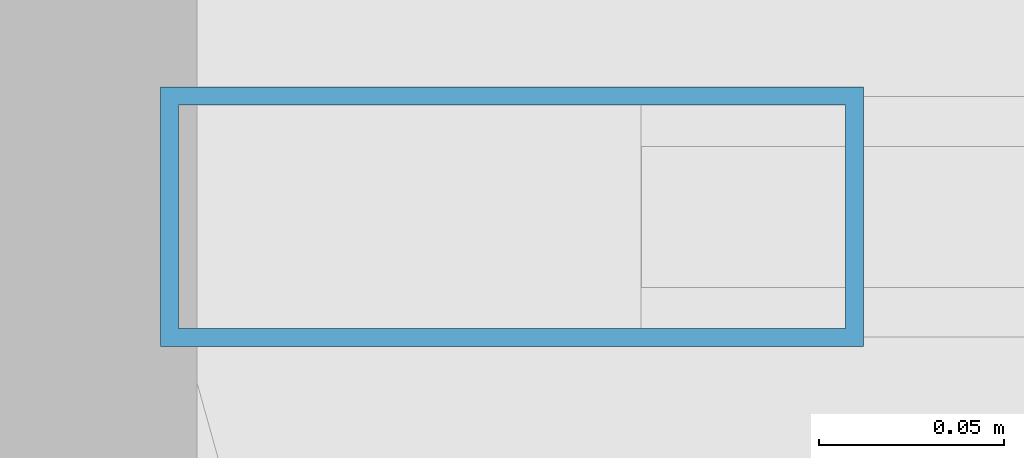
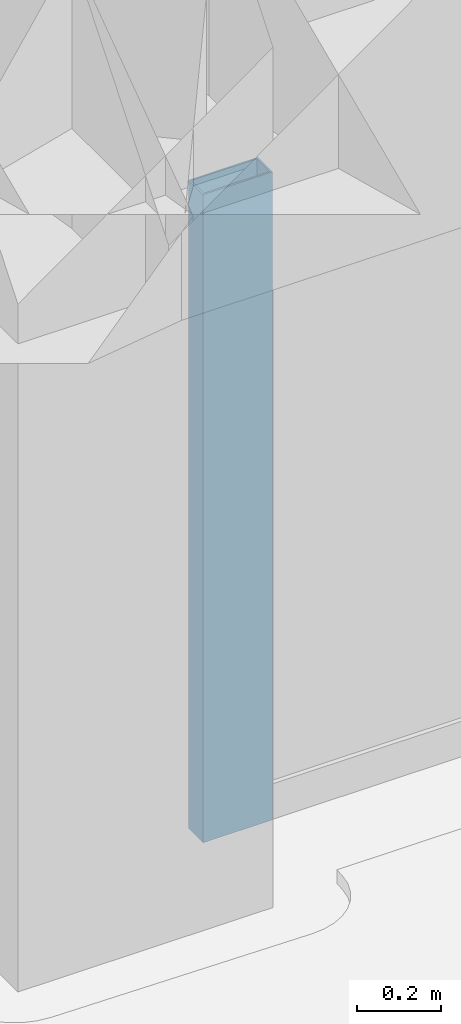
# One storey, part 9 of 15: 1 member, 1 element without a shape of its own.
"""IFC4 building model written with IfcOpenShell, lengths in metres."""

from ifc_helpers import new_model, si_unit, derived_unit, direction, frame, origin, origin_2d, place, context, subcontext, project, spatial, hollow_rectangle, extrude, source, transform, mapped, material, layer, layer_set, material_profile, profile_set, type_object, element, aggregate, save


model = new_model("IFC4")

# Units and contexts
model_context = context("Model", 3, precision=1e-05, world=origin(), true_north=direction((0.0, 1.0)))
body_context = subcontext(model_context, "Body", "Model", "MODEL_VIEW")
ifc_project = project(units=[si_unit("LENGTHUNIT", "METRE"), si_unit("AREAUNIT", "SQUARE_METRE"), si_unit("VOLUMEUNIT", "CUBIC_METRE"), si_unit("PLANEANGLEUNIT", "RADIAN"), si_unit("MASSUNIT", "GRAM", prefix="KILO"), derived_unit("THERMALTRANSMITTANCEUNIT", [(si_unit("POWERUNIT", "WATT"), 1), (si_unit("LENGTHUNIT", "METRE"), -2), (si_unit("THERMODYNAMICTEMPERATUREUNIT", "KELVIN"), -1)])], contexts=[model_context])

# Site, building, storey
site_placement = place(None, origin())
site = spatial("IfcSite", under=ifc_project, at=site_placement, CompositionType="ELEMENT")
building_placement = place(site_placement, origin())
building = spatial("IfcBuilding", under=site, at=building_placement, Name="Korsvarv Bourse and Concert Hall", CompositionType="ELEMENT")
storey_placement = place(building_placement, frame((0.0, 0.0, 250.199951171875)))
storey = spatial("IfcBuildingStorey", under=building, at=storey_placement, Name="L65", CompositionType="ELEMENT", Elevation=250.199951171875)

# Curtain wall, member
ifc_material_1 = material(Name="Anodised aluminium and triple low-E glazing", Category="glass")
ifc_layer = layer(ifc_material_1, 0.199951171875)
ifc_layer_set = layer_set([ifc_layer], Name="Anodised aluminium and triple low-E glazing")
curtain_wall_type = type_object("IfcCurtainWallType", Name="CW-SYS-3", PredefinedType="NOTDEFINED", material=ifc_layer_set)
curtain_wall_placement = place(storey_placement, origin())
curtain_wall = element("IfcCurtainWall", 1, at=curtain_wall_placement, inside=storey, type_object=curtain_wall_type, Name="L65 CW3 curtain wall CW-L65-F03", PredefinedType="NOTDEFINED")
ifc_material_2 = material(Name="Extruded aluminium EN AW-6063 T66", Category="aluminium")
ifc_material_profile = material_profile(ifc_material_2, hollow_rectangle(XDim=0.070068359375, YDim=0.18994140625, WallThickness=0.0048828125, at=origin_2d()), Name="ALU-M 70x190")
ifc_profile_set = profile_set([ifc_material_profile], Name="Extruded aluminium EN AW-6063 T66")
member_type = type_object("IfcMemberType", Name="CWM-190", PredefinedType="MULLION", material=ifc_profile_set)
shared_shape = source(origin(), body_context, "Body", "SweptSolid", [
    extrude(hollow_rectangle(XDim=0.070068359375, YDim=0.18994140625, WallThickness=0.0048828125, at=origin_2d()), origin(), (0.0, 0.0, 1.0), 1.880126953125),
])
member_placement = place(storey_placement, frame((30.4306640625, 51.03271484375, 0.0), z_axis=(0.0, 0.0, 1.0), x_axis=(0.0, -1.0, 0.0)))
member = element("IfcMember", 2, at=member_placement, type_object=member_type, Name="CW3 mullion 10", PredefinedType="MULLION", context=body_context, shape_type="MappedRepresentation", body=[
    mapped(shared_shape, transform((0.0, 0.0, 0.0), scale=1.0)),
])
aggregate(curtain_wall, [member])

save(model, "model.ifc")
